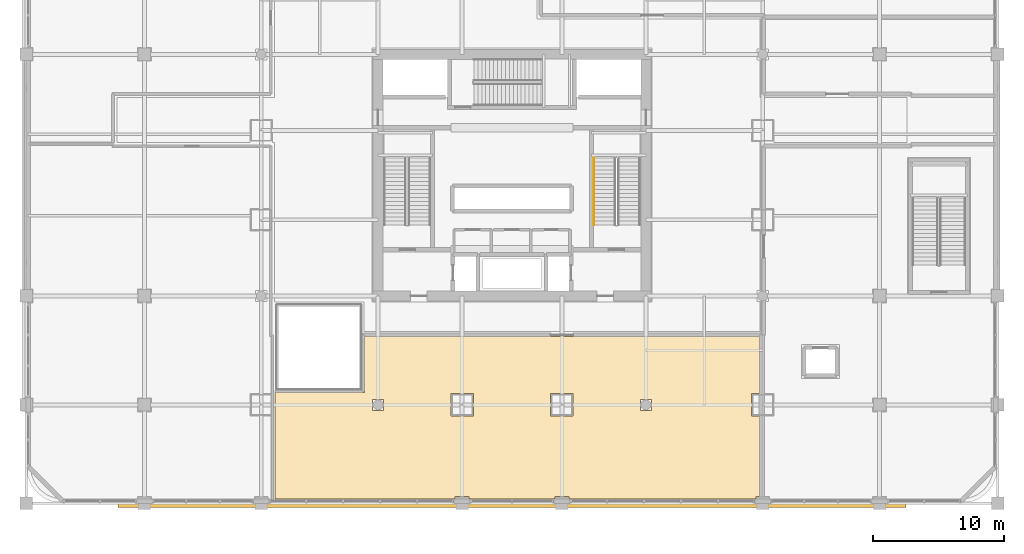
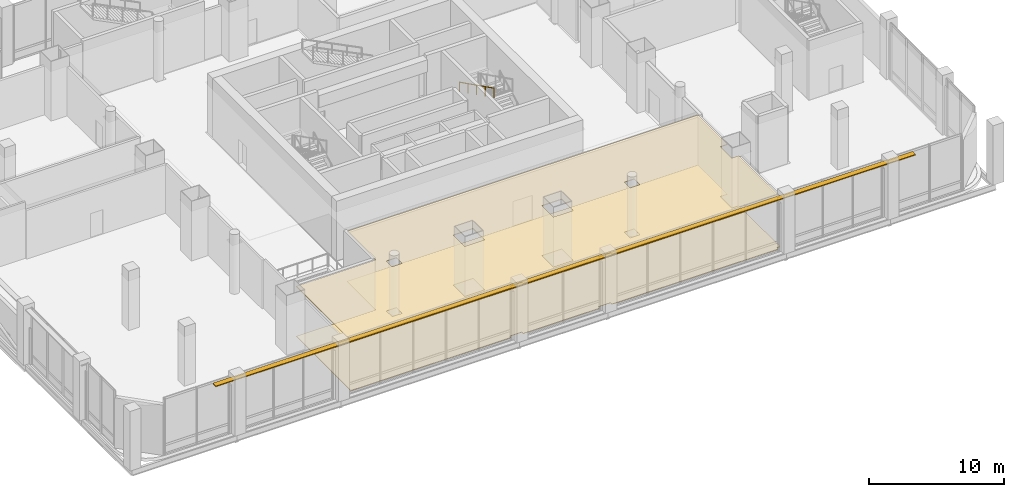
# One storey, part 32 of 39: 2 coverings, 1 railing, 1 shading device.
"""IFC4 building model written with IfcOpenShell, lengths in metres."""

from ifc_helpers import new_model, si_unit, direction, frame, origin, origin_2d, place, context, subcontext, project, spatial, polyline, rectangle, circle, outline, extrude, material, layer, layer_set, material_profile, profile_set, type_object, element, save


model = new_model("IFC4")

# Units and contexts
model_context = context("Model", 3, precision=1e-05, world=origin(), true_north=direction((0.0, 1.0)))
body_context = subcontext(model_context, "Body", "Model", "MODEL_VIEW")
ifc_project = project(units=[si_unit("LENGTHUNIT", "METRE"), si_unit("AREAUNIT", "SQUARE_METRE"), si_unit("VOLUMEUNIT", "CUBIC_METRE"), si_unit("PLANEANGLEUNIT", "RADIAN"), si_unit("MASSUNIT", "GRAM", prefix="KILO")], contexts=[model_context])

# Site, building, storey
site_placement = place(None, origin())
site = spatial("IfcSite", under=ifc_project, at=site_placement, CompositionType="ELEMENT")
building_placement = place(site_placement, origin())
building = spatial("IfcBuilding", under=site, at=building_placement, Name="Punatoya Terracotta Tower", CompositionType="ELEMENT")
storey_placement = place(building_placement, frame((0.0, 0.0, 11.39990234375)))
storey = spatial("IfcBuildingStorey", under=building, at=storey_placement, Name="L02", CompositionType="ELEMENT", Elevation=11.39990234375)

# Coverings
ifc_material_1 = material(Name="Acoustic Mineral Fibre Ceiling")
ifc_layer_1 = layer(ifc_material_1, 0.06005859375)
ifc_layer_set_1 = layer_set([ifc_layer_1], Name="Acoustic Mineral Fibre Ceiling")
covering_type_1 = type_object("IfcCoveringType", Name="COV-CEIL-60", PredefinedType="CEILING", material=ifc_layer_set_1)
covering_1_placement = place(storey_placement, frame((0.0, 0.0, 4.510009765625)))
element("IfcCovering", 1, at=covering_1_placement, inside=storey, type_object=covering_type_1, Name="L02 Waterfront Staff Restaurant Dining Room Acoustic Ceiling", PredefinedType="CEILING", context=body_context, shape_type="SweptSolid", body=[
    extrude(outline(polyline([(-11.239990234375, -16.56005859375), (-18.06005859375, -16.56005859375), (-18.06005859375, -24.679931640625), (-4.324951171875, -24.679931640625), (-4.324951171875, -24.47509765625), (-3.27490234375, -24.47509765625), (-3.27490234375, -24.679931640625), (3.27490234375, -24.679931640625), (3.27490234375, -24.47509765625), (4.324951171875, -24.47509765625), (4.324951171875, -24.679931640625), (18.574951171875, -24.679931640625), (18.574951171875, -24.47509765625), (18.860107421875, -24.47509765625), (18.860107421875, -18.35009765625), (18.25, -18.35009765625), (18.25, -16.64990234375), (18.860107421875, -16.64990234375), (18.860107421875, -12.280029296875), (-11.239990234375, -12.280029296875), (-11.239990234375, -16.56005859375)]), holes=[polyline([(9.77490234375, -17.074951171875), (10.625, -17.074951171875), (10.625, -17.925048828125), (9.77490234375, -17.925048828125), (9.77490234375, -17.074951171875)]), polyline([(4.64990234375, -16.64990234375), (4.64990234375, -18.35009765625), (2.949951171875, -18.35009765625), (2.949951171875, -16.64990234375), (4.64990234375, -16.64990234375)]), polyline([(-4.64990234375, -16.64990234375), (-2.949951171875, -16.64990234375), (-2.949951171875, -18.35009765625), (-4.64990234375, -18.35009765625), (-4.64990234375, -16.64990234375)]), polyline([(-10.625, -17.925048828125), (-10.625, -17.074951171875), (-9.77490234375, -17.074951171875), (-9.77490234375, -17.925048828125), (-10.625, -17.925048828125)])]), origin(), (0.0, 0.0, 1.0), 0.06005859375),
])
ifc_material_2 = material(Name="Sandstone & Raised Access Flooring", Category="masonry")
ifc_layer_2 = layer(ifc_material_2, 0.080078125)
ifc_layer_set_2 = layer_set([ifc_layer_2], Name="Sandstone & Raised Access Flooring")
covering_type_2 = type_object("IfcCoveringType", Name="COV-FLR-80", PredefinedType="FLOORING", material=ifc_layer_set_2)
covering_2_placement = place(storey_placement, origin())
element("IfcCovering", 2, at=covering_2_placement, inside=storey, type_object=covering_type_2, Name="L02 Waterfront Staff Restaurant Dining Room Stone Floor Finish", PredefinedType="FLOORING", context=body_context, shape_type="SweptSolid", body=[
    extrude(outline(polyline([(-11.239990234375, -16.56005859375), (-18.06005859375, -16.56005859375), (-18.06005859375, -24.679931640625), (-4.324951171875, -24.679931640625), (-4.324951171875, -24.47509765625), (-3.27490234375, -24.47509765625), (-3.27490234375, -24.679931640625), (3.27490234375, -24.679931640625), (3.27490234375, -24.47509765625), (4.324951171875, -24.47509765625), (4.324951171875, -24.679931640625), (18.574951171875, -24.679931640625), (18.574951171875, -24.47509765625), (18.860107421875, -24.47509765625), (18.860107421875, -18.35009765625), (18.25, -18.35009765625), (18.25, -16.64990234375), (18.860107421875, -16.64990234375), (18.860107421875, -12.280029296875), (-11.239990234375, -12.280029296875), (-11.239990234375, -16.56005859375)]), holes=[polyline([(9.77490234375, -17.074951171875), (10.625, -17.074951171875), (10.625, -17.925048828125), (9.77490234375, -17.925048828125), (9.77490234375, -17.074951171875)]), polyline([(4.64990234375, -16.64990234375), (4.64990234375, -18.35009765625), (2.949951171875, -18.35009765625), (2.949951171875, -16.64990234375), (4.64990234375, -16.64990234375)]), polyline([(-4.64990234375, -16.64990234375), (-2.949951171875, -16.64990234375), (-2.949951171875, -18.35009765625), (-4.64990234375, -18.35009765625), (-4.64990234375, -16.64990234375)]), polyline([(-10.625, -17.925048828125), (-10.625, -17.074951171875), (-9.77490234375, -17.074951171875), (-9.77490234375, -17.925048828125), (-10.625, -17.925048828125)])]), origin(), (0.0, 0.0, 1.0), 0.0400390625),
])

# Railing
ifc_material_3 = material(Name="Steel S355", Category="steel")
railing_type = type_object("IfcRailingType", Name="RLG-HND-900", PredefinedType="HANDRAIL", material=ifc_material_3)
railing_placement = place(storey_placement, frame((6.25, 1.300048828125, 2.85009765625)))
element("IfcRailing", 3, at=railing_placement, inside=storey, type_object=railing_type, Name="L02 ST-2 stair handrail 2", PredefinedType="HANDRAIL", context=body_context, shape_type="SweptSolid", body=[
    extrude(circle(Radius=0.02392578125, at=origin_2d()), frame((0.0, 0.0, 0.8759765625), z_axis=(0.0, -0.894427191, 0.4472135955), x_axis=(1.0, 0.0, 0.0)), (0.0, 0.0, 1.0), 5.7021484375),
    extrude(circle(Radius=0.02099609375, at=origin_2d()), origin(), (0.0, 0.0, 1.0), 0.851806640625),
    extrude(circle(Radius=0.02099609375, at=origin_2d()), frame((0.0, -1.27490234375, 0.637451171875)), (0.0, 0.0, 1.0), 0.851806640625),
    extrude(circle(Radius=0.02099609375, at=origin_2d()), frame((0.0, -2.550048828125, 1.27490234375)), (0.0, 0.0, 1.0), 0.851806640625),
    extrude(circle(Radius=0.02099609375, at=origin_2d()), frame((0.0, -3.8251953125, 1.91259765625)), (0.0, 0.0, 1.0), 0.851806640625),
    extrude(circle(Radius=0.02099609375, at=origin_2d()), frame((0.0, -5.10009765625, 2.550048828125)), (0.0, 0.0, 1.0), 0.851806640625),
])

# Shading device
ifc_material_4 = material(Name="Architectural Fired Terracotta", Category="masonry")
ifc_material_profile = material_profile(ifc_material_4, rectangle(XDim=0.449951171875, YDim=0.080078125, at=origin_2d()))
ifc_profile_set = profile_set([ifc_material_profile], Name="Architectural Fired Terracotta")
shading_device_type = type_object("IfcShadingDeviceType", Name="SHD-CHAJ-450", PredefinedType="USERDEFINED", material=ifc_profile_set)
shading_device_placement = place(storey_placement, frame((-30.0, -25.090087890625, 4.97021484375), z_axis=(1.0, 0.0, 0.0), x_axis=(0.0, 1.0, 0.0)))
element("IfcShadingDevice", 4, at=shading_device_placement, inside=storey, type_object=shading_device_type, Name="L02 Projecting Terracotta Chhajja Sunshade 1", ObjectType="SUNSHADE", PredefinedType="USERDEFINED", context=body_context, shape_type="SweptSolid", body=[
    extrude(rectangle(XDim=0.449951171875, YDim=0.080078125, at=origin_2d()), origin(), (0.0, 0.0, 1.0), 60.0),
])

save(model, "model.ifc")
